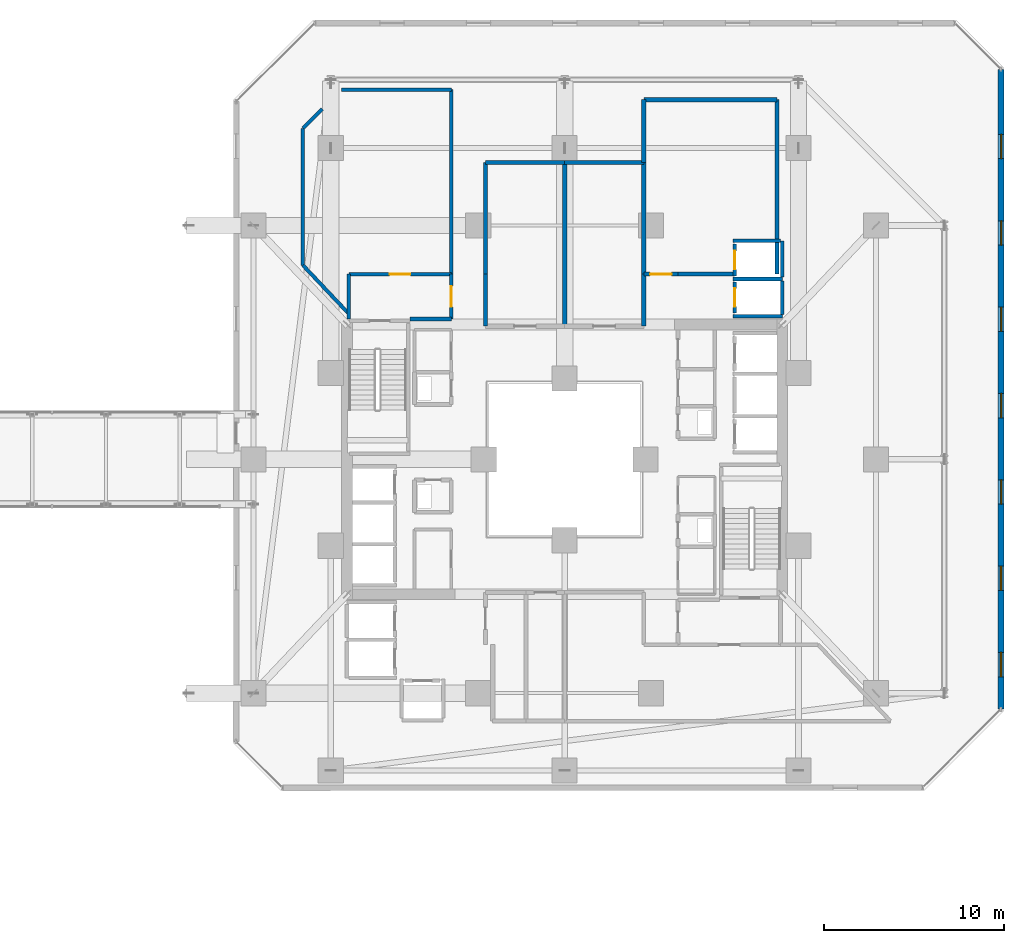
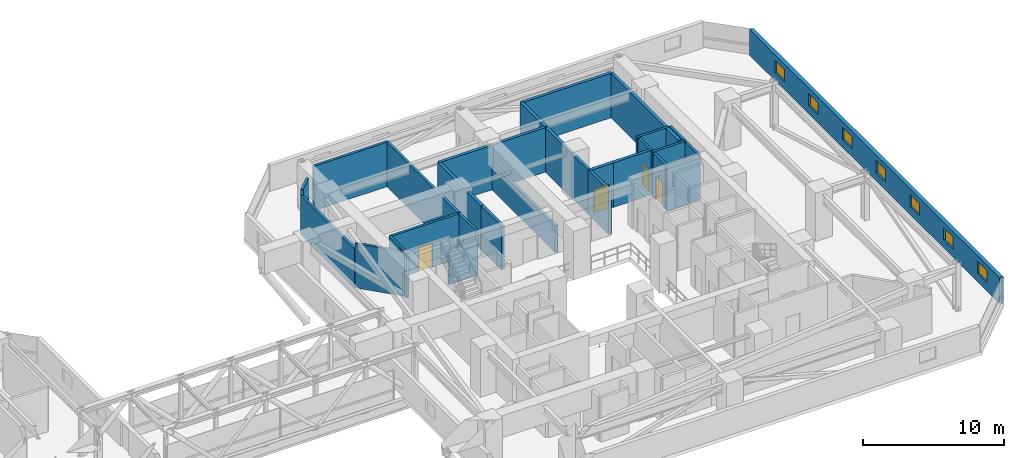
# One storey, part 35 of 38: 29 walls, 7 windows, 5 doors, 12 openings.
"""IFC4 building model written with IfcOpenShell, lengths in metres."""

import ifcopenshell
import ifcopenshell.guid

model = None  # the IFC model being written
_history = None  # IfcOwnerHistory: only IFC2X3 demands one
_inside = {}  # id of a spatial element -> (the spatial element, [elements in it])
_under = {}  # id of a project, library or spatial element -> (it, [spatial elements below it])
_declared = {}  # id of a project -> (the project, [libraries it declares])
_typed = {}  # id of a type object -> (the type object, [elements of that type])
_made_of = {}  # id of a material, layer set ... -> (it, [elements and type objects made of it])


def new_model(schema):
    """Start an empty IFC model of exactly this schema.

    Asked for "IFC4X3", IfcOpenShell would pick the latest addendum, in which some entities
    have other attributes; the version numbers below select the first issue.
    IFC2X3 requires an IfcOwnerHistory on every rooted entity: one is made here for all.
    """
    global model, _history
    if schema == "IFC4X3":
        model = ifcopenshell.file(schema_version=(4, 3, 0, 0))
    else:
        model = ifcopenshell.file(schema=schema)
    _inside.clear()
    _under.clear()
    _declared.clear()
    _typed.clear()
    _made_of.clear()
    _history = None
    if model.schema == "IFC2X3":
        org = make("IfcOrganization", Name="unknown")
        user = make(
            "IfcPersonAndOrganization",
            ThePerson=make("IfcPerson", FamilyName="unknown"),
            TheOrganization=org,
        )
        app = make(
            "IfcApplication",
            ApplicationDeveloper=org,
            Version="unknown",
            ApplicationFullName="unknown",
            ApplicationIdentifier="unknown",
        )
        _history = make(
            "IfcOwnerHistory",
            OwningUser=user,
            OwningApplication=app,
            ChangeAction="ADDED",
            CreationDate=0,
        )
    return model


def make(cls, **values):
    """One entity of the class cls with the attributes given. An attribute that is None is left unset."""
    return model.create_entity(
        cls, **{name: value for name, value in values.items() if value is not None}
    )


def rooted(cls, **values):
    """An entity with a GlobalId (a new one), such as an element, a storey or a relation."""
    return make(cls, GlobalId=ifcopenshell.guid.new(), OwnerHistory=_history, **values)


def si_unit(unit_type, name, prefix=None):
    """IfcSIUnit, for example si_unit("LENGTHUNIT", "METRE", prefix="MILLI")."""
    return make("IfcSIUnit", UnitType=unit_type, Prefix=prefix, Name=name)


def assignment(units):
    """IfcUnitAssignment: the units of a project."""
    return None if units is None else make("IfcUnitAssignment", Units=units)


def point(xyz):
    """IfcCartesianPoint."""
    return None if xyz is None else make("IfcCartesianPoint", Coordinates=xyz)


def direction(xyz):
    """IfcDirection."""
    return None if xyz is None else make("IfcDirection", DirectionRatios=xyz)


def frame(location, z_axis=None, x_axis=None):
    """IfcAxis2Placement3D, a coordinate frame: its origin and axes. An axis left out is left unset."""
    return make(
        "IfcAxis2Placement3D",
        Location=point(location),
        Axis=direction(z_axis),
        RefDirection=direction(x_axis),
    )


def frame_2d(location, x_axis=None):
    """IfcAxis2Placement2D, a coordinate frame in the plane: its origin and x axis."""
    return make(
        "IfcAxis2Placement2D", Location=point(location), RefDirection=direction(x_axis)
    )


def origin():
    """The frame at (0, 0, 0) with its axes left unset."""
    return frame((0.0, 0.0, 0.0))


def place(relative_to, where):
    """IfcLocalPlacement: puts the frame where relative to a parent placement (None: the world)."""
    return make(
        "IfcLocalPlacement", PlacementRelTo=relative_to, RelativePlacement=where
    )


def context(
    kind, dimensions, precision=None, world=None, true_north=None, identifier=None
):
    """IfcGeometricRepresentationContext, for example the 3D "Model" context."""
    return make(
        "IfcGeometricRepresentationContext",
        ContextIdentifier=identifier,
        ContextType=kind,
        CoordinateSpaceDimension=dimensions,
        Precision=precision,
        WorldCoordinateSystem=world,
        TrueNorth=true_north,
    )


def subcontext(parent, identifier, kind, view, scale=None):
    """IfcGeometricRepresentationSubContext, for example "Body" below "Model"."""
    return make(
        "IfcGeometricRepresentationSubContext",
        ContextIdentifier=identifier,
        ContextType=kind,
        ParentContext=parent,
        TargetScale=scale,
        TargetView=view,
    )


def project(units=None, contexts=None):
    """IfcProject with its units and contexts."""
    return rooted(
        "IfcProject",
        Name="project",
        RepresentationContexts=contexts,
        UnitsInContext=assignment(units),
    )


def spatial(cls, under=None, at=None, **own):
    """A site, building, storey or space (cls), placed at a placement, below another one or the project."""
    s = rooted(cls, ObjectPlacement=at, **own)
    if under is not None:
        _under.setdefault(under.id(), (under, []))[1].append(s)
    return s


def profile(cls, at=None, kind="AREA", **sizes):
    """A parametric profile (cls). Its sizes go by their IFC names, for example OverallWidth=200.0."""
    return make(cls, ProfileType=kind, Position=at, **sizes)


def rectangle(**sizes):
    """IfcRectangleProfileDef."""
    return profile("IfcRectangleProfileDef", **sizes)


def extrude(swept, where, along, depth):
    """IfcExtrudedAreaSolid: the profile swept, set in the frame where, extruded along a direction by depth."""
    return make(
        "IfcExtrudedAreaSolid",
        SweptArea=swept,
        Position=where,
        ExtrudedDirection=direction(along),
        Depth=depth,
    )


def shape(context_of_items, identifier, shape_type, items):
    """IfcShapeRepresentation: the items that make up one representation, for example the "Body"."""
    return make(
        "IfcShapeRepresentation",
        ContextOfItems=context_of_items,
        RepresentationIdentifier=identifier,
        RepresentationType=shape_type,
        Items=items,
    )


def material(Name=None, Category=None):
    """IfcMaterial."""
    return make("IfcMaterial", Name=Name, Category=Category)


def layer(
    of_material, thickness, ventilated=None, Name=None, Category=None, Priority=None
):
    """IfcMaterialLayer: one layer of a wall or slab, of a material (None: an air gap)."""
    return make(
        "IfcMaterialLayer",
        Material=of_material,
        LayerThickness=thickness,
        IsVentilated=ventilated,
        Name=Name,
        Category=Category,
        Priority=Priority,
    )


def layer_set(layers, Name=None):
    """IfcMaterialLayerSet."""
    return make("IfcMaterialLayerSet", MaterialLayers=layers, LayerSetName=Name)


def made_of(thing, what):
    """Note that an element or type object is made of a material, layer set ...; save() writes the relation."""
    if what is not None:
        _made_of.setdefault(what.id(), (what, []))[1].append(thing)
    return thing


def type_object(cls, material=None, **own):
    """A type object (cls), such as IfcWallType, which elements share."""
    return made_of(rooted(cls, **own), material)


def element(
    cls,
    number,
    at=None,
    inside=None,
    cuts=None,
    type_object=None,
    material=None,
    context=None,
    identifier="Body",
    shape_type=None,
    held_by="IfcProductDefinitionShape",
    body=None,
    shapes=None,
    **own,
):
    """One element of the class cls, such as IfcWall. Its Tag is "e" and its number.

    at: its placement. inside: the storey or other place that contains it. cuts: it is an
    opening in that element (IfcRelVoidsElement). A single representation is given by context,
    identifier, shape_type and body (its items); several are given by shapes. held_by: the class
    of the entity that holds the representations. save() writes the other relations.
    """
    e = rooted(cls, Tag="e%d" % number, ObjectPlacement=at, **own)
    if body is not None:
        shapes = [shape(context, identifier, shape_type, body)]
    if shapes is not None:
        e.Representation = make(held_by, Representations=shapes)
    if inside is not None:
        _inside.setdefault(inside.id(), (inside, []))[1].append(e)
    if cuts is not None:
        rooted(
            "IfcRelVoidsElement", RelatingBuildingElement=cuts, RelatedOpeningElement=e
        )
    if type_object is not None:
        _typed.setdefault(type_object.id(), (type_object, []))[1].append(e)
    return made_of(e, material)


def fill(opening, filler):
    """IfcRelFillsElement: the door or window that sits in an opening."""
    return rooted(
        "IfcRelFillsElement",
        RelatingOpeningElement=opening,
        RelatedBuildingElement=filler,
    )


def aggregate(whole, parts):
    """IfcRelAggregates: a whole, such as a stair, and the parts it consists of."""
    return rooted("IfcRelAggregates", RelatingObject=whole, RelatedObjects=parts)


def save(model, path):
    """Write the relations noted so far, then the file.

    IfcRelAggregates (storeys below a building ...), IfcRelContainedInSpatialStructure (elements
    in a storey), IfcRelDefinesByType, IfcRelAssociatesMaterial and IfcRelDeclares: one each for
    every whole, place, type object, material and project.
    """
    for whole, parts in _under.values():
        aggregate(whole, parts)
    for where, things in _inside.values():
        rooted(
            "IfcRelContainedInSpatialStructure",
            RelatedElements=things,
            RelatingStructure=where,
        )
    for kind, things in _typed.values():
        rooted("IfcRelDefinesByType", RelatedObjects=things, RelatingType=kind)
    for what, things in _made_of.values():
        rooted("IfcRelAssociatesMaterial", RelatedObjects=things, RelatingMaterial=what)
    for by, libraries in _declared.values():
        rooted("IfcRelDeclares", RelatingContext=by, RelatedDefinitions=libraries)
    model.write(path)


model = new_model("IFC4")

# Units and contexts
model_context = context("Model", 3, precision=1e-05, world=origin(), true_north=direction((0.0, 1.0)))
body_context = subcontext(model_context, "Body", "Model", "MODEL_VIEW")
ifc_project = project(units=[si_unit("LENGTHUNIT", "METRE"), si_unit("AREAUNIT", "SQUARE_METRE"), si_unit("VOLUMEUNIT", "CUBIC_METRE"), si_unit("PLANEANGLEUNIT", "RADIAN"), si_unit("MASSUNIT", "GRAM", prefix="KILO")], contexts=[model_context])

# Site, building, storey
site_placement = place(None, origin())
site = spatial("IfcSite", under=ifc_project, at=site_placement, CompositionType="ELEMENT")
building_placement = place(site_placement, origin())
building = spatial("IfcBuilding", under=site, at=building_placement, Name="Thornwick Lancets Civic Towers", CompositionType="ELEMENT")
storey_placement = place(building_placement, frame((0.0, 0.0, 71.699951171875)))
storey = spatial("IfcBuildingStorey", under=building, at=storey_placement, Name="L18", CompositionType="ELEMENT", Elevation=71.699951171875)

# Wall, opening, door
ifc_material_1 = material(Name="Concrete blockwork C40/50", Category="masonry")
ifc_layer_1 = layer(ifc_material_1, 0.199951171875, Name="Concrete blockwork C40/50")
ifc_layer_set_1 = layer_set([ifc_layer_1], Name="Concrete blockwork C40/50")
wall_type_1 = type_object("IfcWallType", Name="WALL_COMP_200", PredefinedType="STANDARD", material=ifc_layer_set_1)
wall_1_placement = place(storey_placement, frame((97.949951171875, 36.8701171875, 0.0), z_axis=(0.0, 0.0, 1.0), x_axis=(0.0, -1.0, 0.0)))
wall_1 = element("IfcWall", 1, at=wall_1_placement, inside=storey, type_object=wall_type_1, Name="L18 Hoistway Front Wall PL-BL2", PredefinedType="STANDARD", context=body_context, shape_type="SweptSolid", body=[
    extrude(rectangle(XDim=1.740234375, YDim=0.199951171875, at=frame_2d((0.8701171875, 0.0))), origin(), (0.0, 0.0, 1.0), 3.860107421875),
])
opening_1_placement = place(wall_1_placement, frame((0.360107421875, 0.0, 0.0)))
opening_1 = element("IfcOpeningElement", 2, at=opening_1_placement, cuts=wall_1, Name="Opening LD-PL-BL2", PredefinedType="OPENING", context=body_context, shape_type="SweptSolid", body=[
    extrude(rectangle(XDim=1.02001953125, YDim=2.06005859375, at=frame_2d((0.510009765625, 1.030029296875))), frame((0.0, 0.10986328125, 0.0), z_axis=(0.0, -1.0, 0.0), x_axis=(1.0, 0.0, 0.0)), (0.0, 0.0, 1.0), 0.219970703125),
])
ifc_material_2 = material(Name="Brushed bronze stainless steel", Category="steel")
door_type_1 = type_object("IfcDoorType", Name="DOOR_LIFT_SLIDE", OperationType="SLIDING_TO_LEFT", PredefinedType="DOOR", material=ifc_material_2)
door_1_placement = place(opening_1_placement, origin())
door_1 = element("IfcDoor", 3, at=door_1_placement, inside=storey, type_object=door_type_1, Name="L18 Sliding Lift Landing Door LD-PL-BL2", OperationType="SLIDING_TO_LEFT", OverallHeight=2.06005859375, OverallWidth=1.02001953125, PredefinedType="DOOR", context=body_context, shape_type="SweptSolid", body=[
    extrude(rectangle(XDim=1.02001953125, YDim=2.06005859375, at=frame_2d((0.510009765625, 1.030029296875))), frame((0.0, 0.02490234375, 0.0), z_axis=(0.0, -1.0, 0.0), x_axis=(1.0, 0.0, 0.0)), (0.0, 0.0, 1.0), 0.050048828125),
])
fill(opening_1, door_1)

wall_2_placement = place(storey_placement, frame((97.949951171875, 38.969970703125, 0.0), z_axis=(0.0, 0.0, 1.0), x_axis=(0.0, -1.0, 0.0)))
wall_2 = element("IfcWall", 4, at=wall_2_placement, inside=storey, type_object=wall_type_1, Name="L18 Hoistway Front Wall PL-BL3", PredefinedType="STANDARD", context=body_context, shape_type="SweptSolid", body=[
    extrude(rectangle(XDim=1.7900390625, YDim=0.199951171875, at=frame_2d((0.89501953125, 0.0))), origin(), (0.0, 0.0, 1.0), 3.860107421875),
])
opening_2_placement = place(wall_2_placement, frame((0.385009765625, 0.0, 0.0)))
opening_2 = element("IfcOpeningElement", 5, at=opening_2_placement, cuts=wall_2, Name="Opening LD-PL-BL3", PredefinedType="OPENING", context=body_context, shape_type="SweptSolid", body=[
    extrude(rectangle(XDim=1.02001953125, YDim=2.06005859375, at=frame_2d((0.510009765625, 1.030029296875))), frame((0.0, 0.10986328125, 0.0), z_axis=(0.0, -1.0, 0.0), x_axis=(1.0, 0.0, 0.0)), (0.0, 0.0, 1.0), 0.219970703125),
])
door_2_placement = place(opening_2_placement, origin())
door_2 = element("IfcDoor", 6, at=door_2_placement, inside=storey, type_object=door_type_1, Name="L18 Sliding Lift Landing Door LD-PL-BL3", OperationType="SLIDING_TO_LEFT", OverallHeight=2.06005859375, OverallWidth=1.02001953125, PredefinedType="DOOR", context=body_context, shape_type="SweptSolid", body=[
    extrude(rectangle(XDim=1.02001953125, YDim=2.06005859375, at=frame_2d((0.510009765625, 1.030029296875))), frame((0.0, 0.02490234375, 0.0), z_axis=(0.0, -1.0, 0.0), x_axis=(1.0, 0.0, 0.0)), (0.0, 0.0, 1.0), 0.050048828125),
])
fill(opening_2, door_2)

# Walls
for number, where, z_axis, x_axis, name in (
    (7, (97.85205078125, 37.02490234375, 0.0), (0.0, 0.0, 1.0), (1.0, 0.0, 0.0), "L18 Hoistway Shaft Wall PL-BL2 N"),
    (8, (97.85205078125, 34.949951171875, 0.0), (0.0, 0.0, 1.0), (1.0, 0.0, 0.0), "L18 Hoistway Shaft Wall PL-BL2 S"),
):
    element("IfcWall", number, at=place(storey_placement, frame(where, z_axis=z_axis, x_axis=x_axis)), inside=storey, type_object=wall_type_1, Name=name, PredefinedType="STANDARD", context=body_context, shape_type="SweptSolid", body=[
        extrude(rectangle(XDim=2.745849609375, YDim=0.199951171875, at=frame_2d((1.373046875, 0.0))), origin(), (0.0, 0.0, 1.0), 3.860107421875),
    ])
wall_3_placement = place(storey_placement, frame((100.60009765625, 35.06201171875, 0.0), z_axis=(0.0, 0.0, 1.0), x_axis=(0.0, 1.0, 0.0)))
element("IfcWall", 9, at=wall_3_placement, inside=storey, type_object=wall_type_1, Name="L18 Hoistway Shaft Wall PL-BL2 E", PredefinedType="STANDARD", context=body_context, shape_type="SweptSolid", body=[
    extrude(rectangle(XDim=1.85595703125, YDim=0.199951171875, at=frame_2d((0.927978515625, 0.0))), origin(), (0.0, 0.0, 1.0), 3.860107421875),
])
wall_4_placement = place(storey_placement, frame((100.60009765625, 37.132080078125, 0.0), z_axis=(0.0, 0.0, 1.0), x_axis=(0.0, 1.0, 0.0)))
element("IfcWall", 10, at=wall_4_placement, inside=storey, type_object=wall_type_1, Name="L18 Hoistway Shaft Wall PL-BL2 E", PredefinedType="STANDARD", context=body_context, shape_type="SweptSolid", body=[
    extrude(rectangle(XDim=2.015869140625, YDim=0.199951171875, at=frame_2d((1.0078125, 0.0))), origin(), (0.0, 0.0, 1.0), 3.860107421875),
])
wall_5_placement = place(storey_placement, frame((97.85205078125, 39.14990234375, 0.0), z_axis=(0.0, 0.0, 1.0), x_axis=(1.0, 0.0, 0.0)))
element("IfcWall", 11, at=wall_5_placement, inside=storey, type_object=wall_type_1, Name="L18 Hoistway Shaft Wall PL-BL3 N", PredefinedType="STANDARD", context=body_context, shape_type="SweptSolid", body=[
    extrude(rectangle(XDim=2.635986328125, YDim=0.199951171875, at=frame_2d((1.31787109375, 0.0))), origin(), (0.0, 0.0, 1.0), 3.860107421875),
])
wall_6_placement = place(storey_placement, frame((79.89990234375, 34.800048828125, 0.0), z_axis=(0.0, 0.0, 1.0), x_axis=(1.0, 0.0, 0.0)))
element("IfcWall", 12, at=wall_6_placement, inside=storey, type_object=wall_type_1, Name="L18 Partition L18-B-FFLOB2 E1", PredefinedType="STANDARD", context=body_context, shape_type="SweptSolid", body=[
    extrude(rectangle(XDim=2.300048828125, YDim=0.199951171875, at=frame_2d((1.14990234375, 0.0))), origin(), (0.0, 0.0, 1.0), 3.06494140625),
])

# Wall, opening, door
wall_7_placement = place(storey_placement, frame((82.199951171875, 34.800048828125, 0.0), z_axis=(0.0, 0.0, 1.0), x_axis=(0.0, 1.0, 0.0)))
wall_7 = element("IfcWall", 13, at=wall_7_placement, inside=storey, type_object=wall_type_1, Name="L18 Partition L18-B-FFLOB2 E2", PredefinedType="STANDARD", context=body_context, shape_type="SweptSolid", body=[
    extrude(rectangle(XDim=2.5, YDim=0.199951171875, at=frame_2d((1.25, 0.0))), origin(), (0.0, 0.0, 1.0), 3.860107421875),
])
opening_3_placement = place(wall_7_placement, frame((0.675048828125, 0.0, 0.0)))
opening_3 = element("IfcOpeningElement", 14, at=opening_3_placement, cuts=wall_7, Name="Opening D-L18-0862", PredefinedType="OPENING", context=body_context, shape_type="SweptSolid", body=[
    extrude(rectangle(XDim=1.14990234375, YDim=2.10009765625, at=frame_2d((0.574951171875, 1.050048828125))), frame((0.0, 0.10986328125, 0.0), z_axis=(0.0, -1.0, 0.0), x_axis=(1.0, 0.0, 0.0)), (0.0, 0.0, 1.0), 0.219970703125),
])
ifc_material_3 = material(Name="Glazed fire-resisting steel", Category="steel")
door_type_2 = type_object("IfcDoorType", Name="DOOR_LOBBY_FD60", OperationType="NOTDEFINED", PredefinedType="DOOR", material=ifc_material_3)
door_3_placement = place(opening_3_placement, origin())
door_3 = element("IfcDoor", 15, at=door_3_placement, inside=storey, type_object=door_type_2, Name="L18 West Firefighting Lobby 2 Door", OperationType="SINGLE_SWING_LEFT", OverallHeight=2.10009765625, OverallWidth=1.14990234375, PredefinedType="DOOR", context=body_context, shape_type="SweptSolid", body=[
    extrude(rectangle(XDim=1.14990234375, YDim=2.10009765625, at=frame_2d((0.574951171875, 1.050048828125))), frame((0.0, 0.02490234375, 0.0), z_axis=(0.0, -1.0, 0.0), x_axis=(1.0, 0.0, 0.0)), (0.0, 0.0, 1.0), 0.050048828125),
])
fill(opening_3, door_3)

wall_8_placement = place(storey_placement, frame((82.199951171875, 37.300048828125, 0.0), z_axis=(0.0, 0.0, 1.0), x_axis=(-1.0, 0.0, 0.0)))
wall_8 = element("IfcWall", 16, at=wall_8_placement, inside=storey, type_object=wall_type_1, Name="L18 Partition L18-B-FFLOB2 E3", PredefinedType="STANDARD", context=body_context, shape_type="SweptSolid", body=[
    extrude(rectangle(XDim=5.699951171875, YDim=0.199951171875, at=frame_2d((2.85009765625, 0.0))), origin(), (0.0, 0.0, 1.0), 3.860107421875),
])
opening_4_placement = place(wall_8_placement, frame((2.27490234375, 0.0, 0.0)))
opening_4 = element("IfcOpeningElement", 17, at=opening_4_placement, cuts=wall_8, Name="Opening D-L18-0883", PredefinedType="OPENING", context=body_context, shape_type="SweptSolid", body=[
    extrude(rectangle(XDim=1.14990234375, YDim=2.10009765625, at=frame_2d((0.574951171875, 1.050048828125))), frame((0.0, 0.10986328125, 0.0), z_axis=(0.0, -1.0, 0.0), x_axis=(1.0, 0.0, 0.0)), (0.0, 0.0, 1.0), 0.219970703125),
])
door_4_placement = place(opening_4_placement, origin())
door_4 = element("IfcDoor", 18, at=door_4_placement, inside=storey, type_object=door_type_2, Name="L18 Tower B Refuge Holding Area 2 Door", OperationType="SINGLE_SWING_RIGHT", OverallHeight=2.10009765625, OverallWidth=1.14990234375, PredefinedType="DOOR", context=body_context, shape_type="SweptSolid", body=[
    extrude(rectangle(XDim=1.14990234375, YDim=2.10009765625, at=frame_2d((0.574951171875, 1.050048828125))), frame((0.0, 0.02490234375, 0.0), z_axis=(0.0, -1.0, 0.0), x_axis=(1.0, 0.0, 0.0)), (0.0, 0.0, 1.0), 0.050048828125),
])
fill(opening_4, door_4)

# Walls
wall_9_placement = place(storey_placement, frame((76.5, 37.300048828125, 0.0), z_axis=(0.0, 0.0, 1.0), x_axis=(0.0, -1.0, 0.0)))
element("IfcWall", 19, at=wall_9_placement, inside=storey, type_object=wall_type_1, Name="L18 Partition L18-B-FFLOB2 E4", PredefinedType="STANDARD", context=body_context, shape_type="SweptSolid", body=[
    extrude(rectangle(XDim=2.5, YDim=0.199951171875, at=frame_2d((1.25, 0.0))), origin(), (0.0, 0.0, 1.0), 3.860107421875),
])
wall_10_placement = place(storey_placement, frame((76.5, 35.093017578125, 0.0), z_axis=(0.0, 0.0, 1.0), x_axis=(-0.68703095768, 0.726628146433, 0.0)))
element("IfcWall", 20, at=wall_10_placement, inside=storey, type_object=wall_type_1, Name="L18 Partition L18-B-REF2 E2", PredefinedType="STANDARD", context=body_context, shape_type="SweptSolid", body=[
    extrude(rectangle(XDim=3.711669921875, YDim=0.199951171875, at=frame_2d((1.85595703125, 0.0))), origin(), (0.0, 0.0, 1.0), 3.860107421875),
])
wall_11_placement = place(storey_placement, frame((73.949951171875, 37.7900390625, 0.0), z_axis=(0.0, 0.0, 1.0), x_axis=(0.0, 1.0, 0.0)))
element("IfcWall", 21, at=wall_11_placement, inside=storey, type_object=wall_type_1, Name="L18 Partition L18-B-REF2 E3", PredefinedType="STANDARD", context=body_context, shape_type="SweptSolid", body=[
    extrude(rectangle(XDim=7.615234375, YDim=0.199951171875, at=frame_2d((3.8076171875, 0.0))), origin(), (0.0, 0.0, 1.0), 3.364990234375),
])
wall_12_placement = place(storey_placement, frame((73.949951171875, 45.4052734375, 0.0), z_axis=(0.0, 0.0, 1.0), x_axis=(0.707106781187, 0.707106781187, 0.0)))
element("IfcWall", 22, at=wall_12_placement, inside=storey, type_object=wall_type_1, Name="L18 Partition L18-B-REF2 E4", PredefinedType="STANDARD", context=body_context, shape_type="SweptSolid", body=[
    extrude(rectangle(XDim=1.51318359375, YDim=0.199951171875, at=frame_2d((0.756591796875, 0.0))), origin(), (0.0, 0.0, 1.0), 3.860107421875),
])
wall_13_placement = place(storey_placement, frame((76.0947265625, 47.550048828125, 0.0), z_axis=(0.0, 0.0, 1.0), x_axis=(1.0, 0.0, 0.0)))
element("IfcWall", 23, at=wall_13_placement, inside=storey, type_object=wall_type_1, Name="L18 Partition L18-B-REF2 E9", PredefinedType="STANDARD", context=body_context, shape_type="SweptSolid", body=[
    extrude(rectangle(XDim=6.105224609375, YDim=0.199951171875, at=frame_2d((3.052734375, 0.0))), origin(), (0.0, 0.0, 1.0), 3.860107421875),
])
wall_14_placement = place(storey_placement, frame((82.199951171875, 47.550048828125, 0.0), z_axis=(0.0, 0.0, 1.0), x_axis=(0.0, -1.0, 0.0)))
element("IfcWall", 24, at=wall_14_placement, inside=storey, type_object=wall_type_1, Name="L18 Partition L18-B-REF2 E10", PredefinedType="STANDARD", context=body_context, shape_type="SweptSolid", body=[
    extrude(rectangle(XDim=10.25, YDim=0.199951171875, at=frame_2d((5.125, 0.0))), origin(), (0.0, 0.0, 1.0), 3.860107421875),
])
ifc_layer_2 = layer(ifc_material_1, 0.239990234375, Name="Concrete blockwork C40/50")
ifc_layer_set_2 = layer_set([ifc_layer_2], Name="Concrete blockwork C40/50")
wall_type_2 = type_object("IfcWallType", Name="WALL_COMP_240", PredefinedType="STANDARD", material=ifc_layer_set_2)
wall_15_placement = place(storey_placement, frame((88.5, 43.5, 0.0), z_axis=(0.0, 0.0, 1.0), x_axis=(1.0, 0.0, 0.0)))
element("IfcWall", 25, at=wall_15_placement, inside=storey, type_object=wall_type_2, Name="L18 Partition L18-B-PL-SMK E1", PredefinedType="STANDARD", context=body_context, shape_type="SweptSolid", body=[
    extrude(rectangle(XDim=4.39990234375, YDim=0.239990234375, at=frame_2d((2.199951171875, 0.0))), origin(), (0.0, 0.0, 1.0), 3.860107421875),
])
wall_16_placement = place(storey_placement, frame((92.89990234375, 43.5, 0.0), z_axis=(0.0, 0.0, 1.0), x_axis=(0.0, -1.0, 0.0)))
element("IfcWall", 26, at=wall_16_placement, inside=storey, type_object=wall_type_2, Name="L18 Partition L18-B-PL-SMK E2", PredefinedType="STANDARD", context=body_context, shape_type="SweptSolid", body=[
    extrude(rectangle(XDim=6.199951171875, YDim=0.239990234375, at=frame_2d((3.10009765625, 0.0))), origin(), (0.0, 0.0, 1.0), 3.860107421875),
])
wall_17_placement = place(storey_placement, frame((92.89990234375, 37.300048828125, 0.0), z_axis=(0.0, 0.0, 1.0), x_axis=(0.0, -1.0, 0.0)))
element("IfcWall", 27, at=wall_17_placement, inside=storey, type_object=wall_type_2, Name="L18 Partition L18-B-PL-SMK E3", PredefinedType="STANDARD", context=body_context, shape_type="SweptSolid", body=[
    extrude(rectangle(XDim=2.900146484375, YDim=0.239990234375, at=frame_2d((1.4501953125, 0.0))), origin(), (0.0, 0.0, 1.0), 3.860107421875),
])
wall_18_placement = place(storey_placement, frame((88.5, 34.39990234375, 0.0), z_axis=(0.0, 0.0, 1.0), x_axis=(0.0, 1.0, 0.0)))
element("IfcWall", 28, at=wall_18_placement, inside=storey, type_object=wall_type_2, Name="L18 Partition L18-B-PL-SMK E5", PredefinedType="STANDARD", context=body_context, shape_type="SweptSolid", body=[
    extrude(rectangle(XDim=9.10009765625, YDim=0.239990234375, at=frame_2d((4.550048828125, 0.0))), origin(), (0.0, 0.0, 1.0), 2.28515625),
])
wall_19_placement = place(storey_placement, frame((84.10009765625, 37.300048828125, 0.0), z_axis=(0.0, 0.0, 1.0), x_axis=(0.0, 1.0, 0.0)))
element("IfcWall", 29, at=wall_19_placement, inside=storey, type_object=wall_type_2, Name="L18 Partition L18-B-PL-PRS E1", PredefinedType="STANDARD", context=body_context, shape_type="SweptSolid", body=[
    extrude(rectangle(XDim=6.199951171875, YDim=0.239990234375, at=frame_2d((3.10009765625, 0.0))), origin(), (0.0, 0.0, 1.0), 3.860107421875),
])
wall_20_placement = place(storey_placement, frame((84.10009765625, 43.5, 0.0), z_axis=(0.0, 0.0, 1.0), x_axis=(1.0, 0.0, 0.0)))
element("IfcWall", 30, at=wall_20_placement, inside=storey, type_object=wall_type_2, Name="L18 Partition L18-B-PL-PRS E2", PredefinedType="STANDARD", context=body_context, shape_type="SweptSolid", body=[
    extrude(rectangle(XDim=4.39990234375, YDim=0.239990234375, at=frame_2d((2.199951171875, 0.0))), origin(), (0.0, 0.0, 1.0), 3.860107421875),
])
wall_21_placement = place(storey_placement, frame((84.10009765625, 34.39990234375, 0.0), z_axis=(0.0, 0.0, 1.0), x_axis=(0.0, 1.0, 0.0)))
element("IfcWall", 31, at=wall_21_placement, inside=storey, type_object=wall_type_2, Name="L18 Partition L18-B-PL-PRS E5", PredefinedType="STANDARD", context=body_context, shape_type="SweptSolid", body=[
    extrude(rectangle(XDim=2.900146484375, YDim=0.239990234375, at=frame_2d((1.4501953125, 0.0))), origin(), (0.0, 0.0, 1.0), 3.860107421875),
])
wall_22_placement = place(storey_placement, frame((92.89990234375, 43.5, 0.0), z_axis=(0.0, 0.0, 1.0), x_axis=(0.0, 1.0, 0.0)))
element("IfcWall", 32, at=wall_22_placement, inside=storey, type_object=wall_type_2, Name="L18 Partition L18-B-PL-CHL E1", PredefinedType="STANDARD", context=body_context, shape_type="SweptSolid", body=[
    extrude(rectangle(XDim=3.5, YDim=0.239990234375, at=frame_2d((1.75, 0.0))), origin(), (0.0, 0.0, 1.0), 3.860107421875),
])
wall_23_placement = place(storey_placement, frame((92.89990234375, 47.0, 0.0), z_axis=(0.0, 0.0, 1.0), x_axis=(1.0, 0.0, 0.0)))
element("IfcWall", 33, at=wall_23_placement, inside=storey, type_object=wall_type_2, Name="L18 Partition L18-B-PL-CHL E2", PredefinedType="STANDARD", context=body_context, shape_type="SweptSolid", body=[
    extrude(rectangle(XDim=7.400146484375, YDim=0.239990234375, at=frame_2d((3.7001953125, 0.0))), origin(), (0.0, 0.0, 1.0), 3.860107421875),
])
wall_24_placement = place(storey_placement, frame((100.300048828125, 47.0, 0.0), z_axis=(0.0, 0.0, 1.0), x_axis=(0.0, -1.0, 0.0)))
element("IfcWall", 34, at=wall_24_placement, inside=storey, type_object=wall_type_2, Name="L18 Partition L18-B-PL-CHL E3", PredefinedType="STANDARD", context=body_context, shape_type="SweptSolid", body=[
    extrude(rectangle(XDim=9.699951171875, YDim=0.239990234375, at=frame_2d((4.85009765625, 0.0))), origin(), (0.0, 0.0, 1.0), 3.860107421875),
])
wall_25_placement = place(storey_placement, frame((97.85205078125, 37.300048828125, 0.0), z_axis=(0.0, 0.0, 1.0), x_axis=(-1.0, 0.0, 0.0)))
element("IfcWall", 35, at=wall_25_placement, inside=storey, type_object=wall_type_2, Name="L18 Partition L18-B-PL-CHL E4", PredefinedType="STANDARD", context=body_context, shape_type="SweptSolid", body=[
    extrude(rectangle(XDim=3.052001953125, YDim=0.239990234375, at=frame_2d((1.52587890625, 0.0))), origin(), (0.0, 0.0, 1.0), 3.860107421875),
])

# Wall, opening, door
wall_26_placement = place(storey_placement, frame((94.800048828125, 37.300048828125, 0.0), z_axis=(0.0, 0.0, 1.0), x_axis=(-1.0, 0.0, 0.0)))
wall_26 = element("IfcWall", 36, at=wall_26_placement, inside=storey, type_object=wall_type_2, Name="L18 Partition L18-B-PL-CHL E5", PredefinedType="STANDARD", context=body_context, shape_type="SweptSolid", body=[
    extrude(rectangle(XDim=1.900146484375, YDim=0.239990234375, at=frame_2d((0.9501953125, 0.0))), origin(), (0.0, 0.0, 1.0), 3.860107421875),
])
opening_5_placement = place(wall_26_placement, frame((0.35009765625, 0.0, 0.0)))
opening_5 = element("IfcOpeningElement", 37, at=opening_5_placement, cuts=wall_26, Name="Opening D-L18-0886", PredefinedType="OPENING", context=body_context, shape_type="SweptSolid", body=[
    extrude(rectangle(XDim=1.199951171875, YDim=2.10009765625, at=frame_2d((0.60009765625, 1.050048828125))), frame((0.0, 0.1298828125, 0.0), z_axis=(0.0, -1.0, 0.0), x_axis=(1.0, 0.0, 0.0)), (0.0, 0.0, 1.0), 0.260009765625),
])
ifc_material_4 = material(Name="Steel plant room doorset", Category="steel")
door_type_3 = type_object("IfcDoorType", Name="DOOR_PLANT_1200", OperationType="NOTDEFINED", PredefinedType="DOOR", material=ifc_material_4)
door_5_placement = place(opening_5_placement, origin())
door_5 = element("IfcDoor", 38, at=door_5_placement, inside=storey, type_object=door_type_3, Name="L18 Tower B Chiller and Heat-Pump Plant Room Door", OperationType="SINGLE_SWING_LEFT", OverallHeight=2.10009765625, OverallWidth=1.199951171875, PredefinedType="DOOR", context=body_context, shape_type="SweptSolid", body=[
    extrude(rectangle(XDim=1.199951171875, YDim=2.10009765625, at=frame_2d((0.60009765625, 1.050048828125))), frame((0.0, 0.02490234375, 0.0), z_axis=(0.0, -1.0, 0.0), x_axis=(1.0, 0.0, 0.0)), (0.0, 0.0, 1.0), 0.050048828125),
])
fill(opening_5, door_5)

# Wall, openings, windows
ifc_material_5 = material(Name="Insulated buff terracotta rainscreen on concrete C40/50", Category="masonry")
ifc_layer_3 = layer(ifc_material_5, 0.320068359375, Name="Insulated buff terracotta rainscreen on concrete C40/50")
ifc_layer_set_3 = layer_set([ifc_layer_3], Name="Insulated buff terracotta rainscreen on concrete C40/50")
wall_type_3 = type_object("IfcWallType", Name="WALL_EXT_TERRA_320", PredefinedType="STANDARD", material=ifc_layer_set_3)
wall_27_placement = place(storey_placement, frame((112.759033203125, 13.112060546875, 0.0), z_axis=(0.0, 0.0, 1.0), x_axis=(0.000164732205, 0.999999986432, 0.0)))
wall_27 = element("IfcWall", 39, at=wall_27_placement, inside=storey, type_object=wall_type_3, Name="L18 Tower B Terracotta Facade Wall E2", PredefinedType="STANDARD", context=body_context, shape_type="SweptSolid", body=[
    extrude(rectangle(XDim=35.569091796875, YDim=0.320068359375, at=frame_2d((17.78466796875, 0.0))), origin(), (0.0, 0.0, 1.0), 2.239990234375),
])
opening_6_placement = place(wall_27_placement, frame((1.800048828125, 0.0, 0.719970703125)))
opening_6 = element("IfcOpeningElement", 40, at=opening_6_placement, cuts=wall_27, Name="Opening WL-03", PredefinedType="OPENING", context=body_context, shape_type="SweptSolid", body=[
    extrude(rectangle(XDim=1.35009765625, YDim=1.050048828125, at=frame_2d((0.675048828125, 0.52490234375))), frame((0.0, 0.169921875, 0.0), z_axis=(0.0, -1.0, 0.0), x_axis=(1.0, 0.0, 0.0)), (0.0, 0.0, 1.0), 0.340087890625),
])
opening_7_placement = place(wall_27_placement, frame((6.60009765625, 0.0, 0.719970703125)))
opening_7 = element("IfcOpeningElement", 41, at=opening_7_placement, cuts=wall_27, Name="Opening WL-03", PredefinedType="OPENING", context=body_context, shape_type="SweptSolid", body=[
    extrude(rectangle(XDim=1.35009765625, YDim=1.050048828125, at=frame_2d((0.675048828125, 0.52490234375))), frame((0.0, 0.169921875, 0.0), z_axis=(0.0, -1.0, 0.0), x_axis=(1.0, 0.0, 0.0)), (0.0, 0.0, 1.0), 0.340087890625),
])
opening_8_placement = place(wall_27_placement, frame((11.39990234375, 0.0, 0.719970703125)))
opening_8 = element("IfcOpeningElement", 42, at=opening_8_placement, cuts=wall_27, Name="Opening WL-03", PredefinedType="OPENING", context=body_context, shape_type="SweptSolid", body=[
    extrude(rectangle(XDim=1.35009765625, YDim=1.050048828125, at=frame_2d((0.675048828125, 0.52490234375))), frame((0.0, 0.169921875, 0.0), z_axis=(0.0, -1.0, 0.0), x_axis=(1.0, 0.0, 0.0)), (0.0, 0.0, 1.0), 0.340087890625),
])
opening_9_placement = place(wall_27_placement, frame((16.199951171875, 0.0, 0.719970703125)))
opening_9 = element("IfcOpeningElement", 43, at=opening_9_placement, cuts=wall_27, Name="Opening WL-03", PredefinedType="OPENING", context=body_context, shape_type="SweptSolid", body=[
    extrude(rectangle(XDim=1.35009765625, YDim=1.050048828125, at=frame_2d((0.675048828125, 0.52490234375))), frame((0.0, 0.169921875, 0.0), z_axis=(0.0, -1.0, 0.0), x_axis=(1.0, 0.0, 0.0)), (0.0, 0.0, 1.0), 0.340087890625),
])
opening_10_placement = place(wall_27_placement, frame((21.0, 0.0, 0.719970703125)))
opening_10 = element("IfcOpeningElement", 44, at=opening_10_placement, cuts=wall_27, Name="Opening WL-03", PredefinedType="OPENING", context=body_context, shape_type="SweptSolid", body=[
    extrude(rectangle(XDim=1.35009765625, YDim=1.050048828125, at=frame_2d((0.675048828125, 0.52490234375))), frame((0.0, 0.169921875, 0.0), z_axis=(0.0, -1.0, 0.0), x_axis=(1.0, 0.0, 0.0)), (0.0, 0.0, 1.0), 0.340087890625),
])
opening_11_placement = place(wall_27_placement, frame((25.800048828125, 0.0, 0.719970703125)))
opening_11 = element("IfcOpeningElement", 45, at=opening_11_placement, cuts=wall_27, Name="Opening WL-03", PredefinedType="OPENING", context=body_context, shape_type="SweptSolid", body=[
    extrude(rectangle(XDim=1.35009765625, YDim=1.050048828125, at=frame_2d((0.675048828125, 0.52490234375))), frame((0.0, 0.169921875, 0.0), z_axis=(0.0, -1.0, 0.0), x_axis=(1.0, 0.0, 0.0)), (0.0, 0.0, 1.0), 0.340087890625),
])
opening_12_placement = place(wall_27_placement, frame((30.60009765625, 0.0, 0.719970703125)))
opening_12 = element("IfcOpeningElement", 46, at=opening_12_placement, cuts=wall_27, Name="Opening WL-03", PredefinedType="OPENING", context=body_context, shape_type="SweptSolid", body=[
    extrude(rectangle(XDim=1.35009765625, YDim=1.050048828125, at=frame_2d((0.675048828125, 0.52490234375))), frame((0.0, 0.169921875, 0.0), z_axis=(0.0, -1.0, 0.0), x_axis=(1.0, 0.0, 0.0)), (0.0, 0.0, 1.0), 0.340087890625),
])
ifc_material_6 = material(Name="Clear low-e double glazing clerestory lancet", Category="glass")
window_type = type_object("IfcWindowType", Name="WIN_LANCET_1350", PartitioningType="SINGLE_PANEL", PredefinedType="WINDOW", material=ifc_material_6)
window_1_placement = place(opening_6_placement, origin())
window_1 = element("IfcWindow", 47, at=window_1_placement, inside=storey, type_object=window_type, Name="L18 Tower B Staggered Lancet Window E2-1", OverallHeight=1.050048828125, OverallWidth=1.35009765625, PartitioningType="SINGLE_PANEL", PredefinedType="WINDOW", context=body_context, shape_type="SweptSolid", body=[
    extrude(rectangle(XDim=1.35009765625, YDim=1.050048828125, at=frame_2d((0.675048828125, 0.52490234375))), frame((0.0, 0.030029296875, 0.0), z_axis=(0.0, -1.0, 0.0), x_axis=(1.0, 0.0, 0.0)), (0.0, 0.0, 1.0), 0.06005859375),
])
fill(opening_6, window_1)
window_2_placement = place(opening_7_placement, origin())
window_2 = element("IfcWindow", 48, at=window_2_placement, inside=storey, type_object=window_type, Name="L18 Tower B Staggered Lancet Window E2-2", OverallHeight=1.050048828125, OverallWidth=1.35009765625, PartitioningType="SINGLE_PANEL", PredefinedType="WINDOW", context=body_context, shape_type="SweptSolid", body=[
    extrude(rectangle(XDim=1.35009765625, YDim=1.050048828125, at=frame_2d((0.675048828125, 0.52490234375))), frame((0.0, 0.030029296875, 0.0), z_axis=(0.0, -1.0, 0.0), x_axis=(1.0, 0.0, 0.0)), (0.0, 0.0, 1.0), 0.06005859375),
])
fill(opening_7, window_2)
window_3_placement = place(opening_8_placement, origin())
window_3 = element("IfcWindow", 49, at=window_3_placement, inside=storey, type_object=window_type, Name="L18 Tower B Staggered Lancet Window E2-3", OverallHeight=1.050048828125, OverallWidth=1.35009765625, PartitioningType="SINGLE_PANEL", PredefinedType="WINDOW", context=body_context, shape_type="SweptSolid", body=[
    extrude(rectangle(XDim=1.35009765625, YDim=1.050048828125, at=frame_2d((0.675048828125, 0.52490234375))), frame((0.0, 0.030029296875, 0.0), z_axis=(0.0, -1.0, 0.0), x_axis=(1.0, 0.0, 0.0)), (0.0, 0.0, 1.0), 0.06005859375),
])
fill(opening_8, window_3)
window_4_placement = place(opening_9_placement, origin())
window_4 = element("IfcWindow", 50, at=window_4_placement, inside=storey, type_object=window_type, Name="L18 Tower B Staggered Lancet Window E2-4", OverallHeight=1.050048828125, OverallWidth=1.35009765625, PartitioningType="SINGLE_PANEL", PredefinedType="WINDOW", context=body_context, shape_type="SweptSolid", body=[
    extrude(rectangle(XDim=1.35009765625, YDim=1.050048828125, at=frame_2d((0.675048828125, 0.52490234375))), frame((0.0, 0.030029296875, 0.0), z_axis=(0.0, -1.0, 0.0), x_axis=(1.0, 0.0, 0.0)), (0.0, 0.0, 1.0), 0.06005859375),
])
fill(opening_9, window_4)
window_5_placement = place(opening_10_placement, origin())
window_5 = element("IfcWindow", 51, at=window_5_placement, inside=storey, type_object=window_type, Name="L18 Tower B Staggered Lancet Window E2-5", OverallHeight=1.050048828125, OverallWidth=1.35009765625, PartitioningType="SINGLE_PANEL", PredefinedType="WINDOW", context=body_context, shape_type="SweptSolid", body=[
    extrude(rectangle(XDim=1.35009765625, YDim=1.050048828125, at=frame_2d((0.675048828125, 0.52490234375))), frame((0.0, 0.030029296875, 0.0), z_axis=(0.0, -1.0, 0.0), x_axis=(1.0, 0.0, 0.0)), (0.0, 0.0, 1.0), 0.06005859375),
])
fill(opening_10, window_5)
window_6_placement = place(opening_11_placement, origin())
window_6 = element("IfcWindow", 52, at=window_6_placement, inside=storey, type_object=window_type, Name="L18 Tower B Staggered Lancet Window E2-6", OverallHeight=1.050048828125, OverallWidth=1.35009765625, PartitioningType="SINGLE_PANEL", PredefinedType="WINDOW", context=body_context, shape_type="SweptSolid", body=[
    extrude(rectangle(XDim=1.35009765625, YDim=1.050048828125, at=frame_2d((0.675048828125, 0.52490234375))), frame((0.0, 0.030029296875, 0.0), z_axis=(0.0, -1.0, 0.0), x_axis=(1.0, 0.0, 0.0)), (0.0, 0.0, 1.0), 0.06005859375),
])
fill(opening_11, window_6)
window_7_placement = place(opening_12_placement, origin())
window_7 = element("IfcWindow", 53, at=window_7_placement, inside=storey, type_object=window_type, Name="L18 Tower B Staggered Lancet Window E2-7", OverallHeight=1.050048828125, OverallWidth=1.35009765625, PartitioningType="SINGLE_PANEL", PredefinedType="WINDOW", context=body_context, shape_type="SweptSolid", body=[
    extrude(rectangle(XDim=1.35009765625, YDim=1.050048828125, at=frame_2d((0.675048828125, 0.52490234375))), frame((0.0, 0.030029296875, 0.0), z_axis=(0.0, -1.0, 0.0), x_axis=(1.0, 0.0, 0.0)), (0.0, 0.0, 1.0), 0.06005859375),
])
fill(opening_12, window_7)

save(model, "model.ifc")
